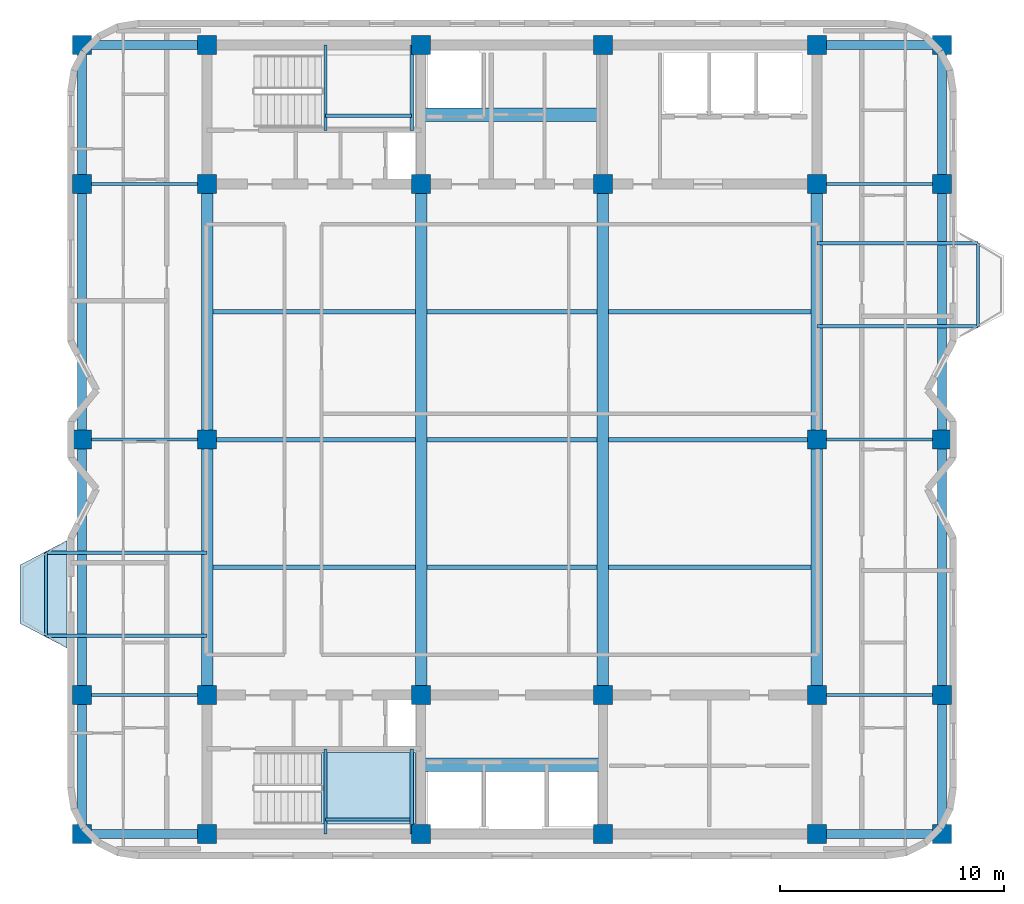
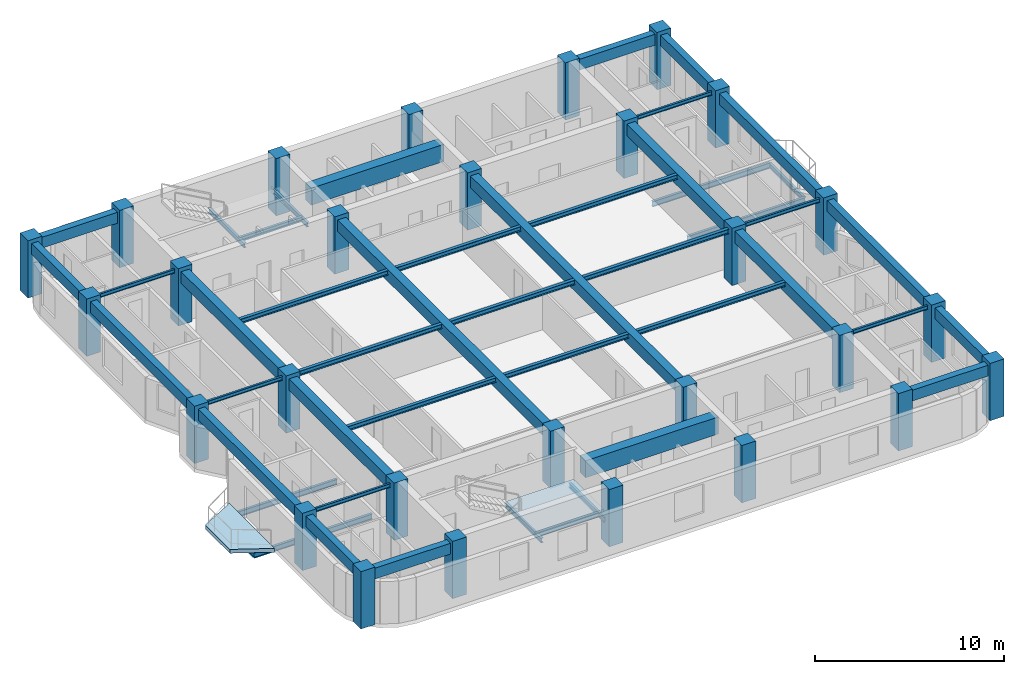
# One storey, part 1 of 9: 47 beams, 28 columns, 2 slabs, 1 element without a shape of its own.
"""IFC4 building model written with IfcOpenShell, lengths in metres."""

import ifcopenshell
import ifcopenshell.guid

model = None  # the IFC model being written
_history = None  # IfcOwnerHistory: only IFC2X3 demands one
_inside = {}  # id of a spatial element -> (the spatial element, [elements in it])
_under = {}  # id of a project, library or spatial element -> (it, [spatial elements below it])
_declared = {}  # id of a project -> (the project, [libraries it declares])
_typed = {}  # id of a type object -> (the type object, [elements of that type])
_made_of = {}  # id of a material, layer set ... -> (it, [elements and type objects made of it])


def new_model(schema):
    """Start an empty IFC model of exactly this schema.

    Asked for "IFC4X3", IfcOpenShell would pick the latest addendum, in which some entities
    have other attributes; the version numbers below select the first issue.
    IFC2X3 requires an IfcOwnerHistory on every rooted entity: one is made here for all.
    """
    global model, _history
    if schema == "IFC4X3":
        model = ifcopenshell.file(schema_version=(4, 3, 0, 0))
    else:
        model = ifcopenshell.file(schema=schema)
    _inside.clear()
    _under.clear()
    _declared.clear()
    _typed.clear()
    _made_of.clear()
    _history = None
    if model.schema == "IFC2X3":
        org = make("IfcOrganization", Name="unknown")
        user = make(
            "IfcPersonAndOrganization",
            ThePerson=make("IfcPerson", FamilyName="unknown"),
            TheOrganization=org,
        )
        app = make(
            "IfcApplication",
            ApplicationDeveloper=org,
            Version="unknown",
            ApplicationFullName="unknown",
            ApplicationIdentifier="unknown",
        )
        _history = make(
            "IfcOwnerHistory",
            OwningUser=user,
            OwningApplication=app,
            ChangeAction="ADDED",
            CreationDate=0,
        )
    return model


def make(cls, **values):
    """One entity of the class cls with the attributes given. An attribute that is None is left unset."""
    return model.create_entity(
        cls, **{name: value for name, value in values.items() if value is not None}
    )


def rooted(cls, **values):
    """An entity with a GlobalId (a new one), such as an element, a storey or a relation."""
    return make(cls, GlobalId=ifcopenshell.guid.new(), OwnerHistory=_history, **values)


def si_unit(unit_type, name, prefix=None):
    """IfcSIUnit, for example si_unit("LENGTHUNIT", "METRE", prefix="MILLI")."""
    return make("IfcSIUnit", UnitType=unit_type, Prefix=prefix, Name=name)


def assignment(units):
    """IfcUnitAssignment: the units of a project."""
    return None if units is None else make("IfcUnitAssignment", Units=units)


def point(xyz):
    """IfcCartesianPoint."""
    return None if xyz is None else make("IfcCartesianPoint", Coordinates=xyz)


def direction(xyz):
    """IfcDirection."""
    return None if xyz is None else make("IfcDirection", DirectionRatios=xyz)


def frame(location, z_axis=None, x_axis=None):
    """IfcAxis2Placement3D, a coordinate frame: its origin and axes. An axis left out is left unset."""
    return make(
        "IfcAxis2Placement3D",
        Location=point(location),
        Axis=direction(z_axis),
        RefDirection=direction(x_axis),
    )


def frame_2d(location, x_axis=None):
    """IfcAxis2Placement2D, a coordinate frame in the plane: its origin and x axis."""
    return make(
        "IfcAxis2Placement2D", Location=point(location), RefDirection=direction(x_axis)
    )


def origin():
    """The frame at (0, 0, 0) with its axes left unset."""
    return frame((0.0, 0.0, 0.0))


def origin_2d():
    """The frame at (0, 0) in the plane with its x axis left unset."""
    return frame_2d((0.0, 0.0))


def place(relative_to, where):
    """IfcLocalPlacement: puts the frame where relative to a parent placement (None: the world)."""
    return make(
        "IfcLocalPlacement", PlacementRelTo=relative_to, RelativePlacement=where
    )


def context(
    kind, dimensions, precision=None, world=None, true_north=None, identifier=None
):
    """IfcGeometricRepresentationContext, for example the 3D "Model" context."""
    return make(
        "IfcGeometricRepresentationContext",
        ContextIdentifier=identifier,
        ContextType=kind,
        CoordinateSpaceDimension=dimensions,
        Precision=precision,
        WorldCoordinateSystem=world,
        TrueNorth=true_north,
    )


def subcontext(parent, identifier, kind, view, scale=None):
    """IfcGeometricRepresentationSubContext, for example "Body" below "Model"."""
    return make(
        "IfcGeometricRepresentationSubContext",
        ContextIdentifier=identifier,
        ContextType=kind,
        ParentContext=parent,
        TargetScale=scale,
        TargetView=view,
    )


def project(units=None, contexts=None):
    """IfcProject with its units and contexts."""
    return rooted(
        "IfcProject",
        Name="project",
        RepresentationContexts=contexts,
        UnitsInContext=assignment(units),
    )


def spatial(cls, under=None, at=None, **own):
    """A site, building, storey or space (cls), placed at a placement, below another one or the project."""
    s = rooted(cls, ObjectPlacement=at, **own)
    if under is not None:
        _under.setdefault(under.id(), (under, []))[1].append(s)
    return s


def polyline(points):
    """IfcPolyline through the points."""
    return make("IfcPolyline", Points=[point(p) for p in points])


def profile(cls, at=None, kind="AREA", **sizes):
    """A parametric profile (cls). Its sizes go by their IFC names, for example OverallWidth=200.0."""
    return make(cls, ProfileType=kind, Position=at, **sizes)


def rectangle(**sizes):
    """IfcRectangleProfileDef."""
    return profile("IfcRectangleProfileDef", **sizes)


def i_section(**sizes):
    """IfcIShapeProfileDef."""
    return profile("IfcIShapeProfileDef", **sizes)


def outline(outer, holes=None, kind="AREA"):
    """IfcArbitraryClosedProfileDef: a profile drawn as a closed curve; with holes, ...WithVoids."""
    if holes is None:
        return make("IfcArbitraryClosedProfileDef", ProfileType=kind, OuterCurve=outer)
    return make(
        "IfcArbitraryProfileDefWithVoids",
        ProfileType=kind,
        OuterCurve=outer,
        InnerCurves=holes,
    )


def extrude(swept, where, along, depth):
    """IfcExtrudedAreaSolid: the profile swept, set in the frame where, extruded along a direction by depth."""
    return make(
        "IfcExtrudedAreaSolid",
        SweptArea=swept,
        Position=where,
        ExtrudedDirection=direction(along),
        Depth=depth,
    )


def shape(context_of_items, identifier, shape_type, items):
    """IfcShapeRepresentation: the items that make up one representation, for example the "Body"."""
    return make(
        "IfcShapeRepresentation",
        ContextOfItems=context_of_items,
        RepresentationIdentifier=identifier,
        RepresentationType=shape_type,
        Items=items,
    )


def material(Name=None, Category=None):
    """IfcMaterial."""
    return make("IfcMaterial", Name=Name, Category=Category)


def layer(
    of_material, thickness, ventilated=None, Name=None, Category=None, Priority=None
):
    """IfcMaterialLayer: one layer of a wall or slab, of a material (None: an air gap)."""
    return make(
        "IfcMaterialLayer",
        Material=of_material,
        LayerThickness=thickness,
        IsVentilated=ventilated,
        Name=Name,
        Category=Category,
        Priority=Priority,
    )


def layer_set(layers, Name=None):
    """IfcMaterialLayerSet."""
    return make("IfcMaterialLayerSet", MaterialLayers=layers, LayerSetName=Name)


def material_profile(
    of_material, cross_section, Name=None, Category=None, Priority=None
):
    """IfcMaterialProfile: a cross section and its material."""
    return make(
        "IfcMaterialProfile",
        Name=Name,
        Material=of_material,
        Profile=cross_section,
        Priority=Priority,
        Category=Category,
    )


def profile_set(profiles, Name=None, composite=None):
    """IfcMaterialProfileSet."""
    return make(
        "IfcMaterialProfileSet",
        Name=Name,
        MaterialProfiles=profiles,
        CompositeProfile=composite,
    )


def made_of(thing, what):
    """Note that an element or type object is made of a material, layer set ...; save() writes the relation."""
    if what is not None:
        _made_of.setdefault(what.id(), (what, []))[1].append(thing)
    return thing


def type_object(cls, material=None, **own):
    """A type object (cls), such as IfcWallType, which elements share."""
    return made_of(rooted(cls, **own), material)


def element(
    cls,
    number,
    at=None,
    inside=None,
    cuts=None,
    type_object=None,
    material=None,
    context=None,
    identifier="Body",
    shape_type=None,
    held_by="IfcProductDefinitionShape",
    body=None,
    shapes=None,
    **own,
):
    """One element of the class cls, such as IfcWall. Its Tag is "e" and its number.

    at: its placement. inside: the storey or other place that contains it. cuts: it is an
    opening in that element (IfcRelVoidsElement). A single representation is given by context,
    identifier, shape_type and body (its items); several are given by shapes. held_by: the class
    of the entity that holds the representations. save() writes the other relations.
    """
    e = rooted(cls, Tag="e%d" % number, ObjectPlacement=at, **own)
    if body is not None:
        shapes = [shape(context, identifier, shape_type, body)]
    if shapes is not None:
        e.Representation = make(held_by, Representations=shapes)
    if inside is not None:
        _inside.setdefault(inside.id(), (inside, []))[1].append(e)
    if cuts is not None:
        rooted(
            "IfcRelVoidsElement", RelatingBuildingElement=cuts, RelatedOpeningElement=e
        )
    if type_object is not None:
        _typed.setdefault(type_object.id(), (type_object, []))[1].append(e)
    return made_of(e, material)


def aggregate(whole, parts):
    """IfcRelAggregates: a whole, such as a stair, and the parts it consists of."""
    return rooted("IfcRelAggregates", RelatingObject=whole, RelatedObjects=parts)


def save(model, path):
    """Write the relations noted so far, then the file.

    IfcRelAggregates (storeys below a building ...), IfcRelContainedInSpatialStructure (elements
    in a storey), IfcRelDefinesByType, IfcRelAssociatesMaterial and IfcRelDeclares: one each for
    every whole, place, type object, material and project.
    """
    for whole, parts in _under.values():
        aggregate(whole, parts)
    for where, things in _inside.values():
        rooted(
            "IfcRelContainedInSpatialStructure",
            RelatedElements=things,
            RelatingStructure=where,
        )
    for kind, things in _typed.values():
        rooted("IfcRelDefinesByType", RelatedObjects=things, RelatingType=kind)
    for what, things in _made_of.values():
        rooted("IfcRelAssociatesMaterial", RelatedObjects=things, RelatingMaterial=what)
    for by, libraries in _declared.values():
        rooted("IfcRelDeclares", RelatingContext=by, RelatedDefinitions=libraries)
    model.write(path)


model = new_model("IFC4")

# Units and contexts
model_context = context("Model", 3, precision=1e-05, world=origin(), true_north=direction((0.0, 1.0)))
body_context = subcontext(model_context, "Body", "Model", "MODEL_VIEW")
ifc_project = project(units=[si_unit("LENGTHUNIT", "METRE"), si_unit("AREAUNIT", "SQUARE_METRE"), si_unit("VOLUMEUNIT", "CUBIC_METRE"), si_unit("PLANEANGLEUNIT", "RADIAN"), si_unit("MASSUNIT", "GRAM", prefix="KILO")], contexts=[model_context])

# Site, building, storey
site_placement = place(None, origin())
site = spatial("IfcSite", under=ifc_project, at=site_placement, CompositionType="ELEMENT")
building_placement = place(site_placement, origin())
building = spatial("IfcBuilding", under=site, at=building_placement, Name="Svetorya Sky Lyceum", CompositionType="ELEMENT")
storey_placement = place(building_placement, frame((0.0, 0.0, 240.60009765625)))
storey = spatial("IfcBuildingStorey", under=building, at=storey_placement, Name="L60", CompositionType="ELEMENT", Elevation=240.60009765625)

# Columns
ifc_material_1 = material(Name="Concrete C50/60", Category="concrete")
ifc_material_profile_1 = material_profile(ifc_material_1, rectangle(XDim=0.85009765625, YDim=0.85009765625, at=origin_2d()), Name="RC COL 850x850")
ifc_profile_set_1 = profile_set([ifc_material_profile_1], Name="Concrete C50/60")
column_type = type_object("IfcColumnType", Name="COL-RC-850", PredefinedType="COLUMN", material=ifc_profile_set_1)
for number, where, z_axis, x_axis, name in (
    (1, (25.60009765625, 10.60009765625, 0.0), (0.0, 0.0, 1.0), (1.0, 0.0, 0.0), "L60 Core Column CS-11"),
    (2, (25.60009765625, 16.800048828125, 0.0), (0.0, 0.0, 1.0), (1.0, 0.0, 0.0), "L60 Core Column CS-12"),
    (3, (35.14990234375, 10.60009765625, 0.0), (0.0, 0.0, 1.0), (1.0, 0.0, 0.0), "L60 Core Column CS-21"),
    (4, (35.14990234375, 16.800048828125, 0.0), (0.0, 0.0, 1.0), (1.0, 0.0, 0.0), "L60 Core Column CS-22"),
    (5, (43.25, 10.60009765625, 0.0), (0.0, 0.0, 1.0), (1.0, 0.0, 0.0), "L60 Core Column CS-31"),
    (6, (43.25, 16.800048828125, 0.0), (0.0, 0.0, 1.0), (1.0, 0.0, 0.0), "L60 Core Column CS-32"),
    (7, (52.800048828125, 10.60009765625, 0.0), (0.0, 0.0, 1.0), (1.0, 0.0, 0.0), "L60 Core Column CS-41"),
    (8, (52.800048828125, 16.800048828125, 0.0), (0.0, 0.0, 1.0), (1.0, 0.0, 0.0), "L60 Core Column CS-42"),
    (9, (25.60009765625, 39.60009765625, 0.0), (0.0, 0.0, 1.0), (1.0, 0.0, 0.0), "L60 Core Column CN-11"),
    (10, (25.60009765625, 45.800048828125, 0.0), (0.0, 0.0, 1.0), (1.0, 0.0, 0.0), "L60 Core Column CN-12"),
    (11, (35.14990234375, 39.60009765625, 0.0), (0.0, 0.0, 1.0), (1.0, 0.0, 0.0), "L60 Core Column CN-21"),
    (12, (35.14990234375, 45.800048828125, 0.0), (0.0, 0.0, 1.0), (1.0, 0.0, 0.0), "L60 Core Column CN-22"),
    (13, (43.25, 39.60009765625, 0.0), (0.0, 0.0, 1.0), (1.0, 0.0, 0.0), "L60 Core Column CN-31"),
    (14, (43.25, 45.800048828125, 0.0), (0.0, 0.0, 1.0), (1.0, 0.0, 0.0), "L60 Core Column CN-32"),
    (15, (52.800048828125, 39.60009765625, 0.0), (0.0, 0.0, 1.0), (1.0, 0.0, 0.0), "L60 Core Column CN-41"),
    (16, (52.800048828125, 45.800048828125, 0.0), (0.0, 0.0, 1.0), (1.0, 0.0, 0.0), "L60 Core Column CN-42"),
    (17, (25.60009765625, 28.199951171875, 0.0), (0.0, 0.0, 1.0), (1.0, 0.0, 0.0), "L60 Core Column CM-W"),
    (18, (52.800048828125, 28.199951171875, 0.0), (0.0, 0.0, 1.0), (1.0, 0.0, 0.0), "L60 Core Column CM-E"),
    (19, (20.010009765625, 10.60009765625, 0.0), (0.0, 0.0, 1.0), (1.0, 0.0, 0.0), "L60 Perimeter Column W1"),
    (20, (58.389892578125, 10.60009765625, 0.0), (0.0, 0.0, 1.0), (1.0, 0.0, 0.0), "L60 Perimeter Column E1"),
    (21, (20.010009765625, 16.800048828125, 0.0), (0.0, 0.0, 1.0), (1.0, 0.0, 0.0), "L60 Perimeter Column W2"),
    (22, (58.389892578125, 16.800048828125, 0.0), (0.0, 0.0, 1.0), (1.0, 0.0, 0.0), "L60 Perimeter Column E2"),
    (23, (20.010009765625, 28.199951171875, 0.0), (0.0, 0.0, 1.0), (1.0, 0.0, 0.0), "L60 Perimeter Column W3"),
    (24, (58.389892578125, 28.199951171875, 0.0), (0.0, 0.0, 1.0), (1.0, 0.0, 0.0), "L60 Perimeter Column E3"),
    (25, (20.010009765625, 39.60009765625, 0.0), (0.0, 0.0, 1.0), (1.0, 0.0, 0.0), "L60 Perimeter Column W4"),
    (26, (58.389892578125, 39.60009765625, 0.0), (0.0, 0.0, 1.0), (1.0, 0.0, 0.0), "L60 Perimeter Column E4"),
    (27, (20.010009765625, 45.800048828125, 0.0), (0.0, 0.0, 1.0), (1.0, 0.0, 0.0), "L60 Perimeter Column W5"),
    (28, (58.389892578125, 45.800048828125, 0.0), (0.0, 0.0, 1.0), (1.0, 0.0, 0.0), "L60 Perimeter Column E5"),
):
    element("IfcColumn", number, at=place(storey_placement, frame(where, z_axis=z_axis, x_axis=x_axis)), inside=storey, type_object=column_type, Name=name, PredefinedType="COLUMN", context=body_context, shape_type="SweptSolid", body=[
        extrude(rectangle(XDim=0.85009765625, YDim=0.85009765625, at=origin_2d()), origin(), (0.0, 0.0, 1.0), 3.699951171875),
    ])

# Beams
ifc_material_2 = material(Name="Concrete C60/75", Category="concrete")
ifc_material_profile_2 = material_profile(ifc_material_2, rectangle(XDim=0.60009765625, YDim=1.10009765625, at=origin_2d()), Name="RC COUPLING 600x1100")
ifc_profile_set_2 = profile_set([ifc_material_profile_2], Name="Concrete C60/75")
beam_type_1 = type_object("IfcBeamType", Name="BM-CPL-1100", PredefinedType="LINTEL", material=ifc_profile_set_2)
for number, where, z_axis, x_axis, name in (
    (29, (35.14990234375, 13.699951171875, 2.89990234375), (1.0, 0.0, 0.0), (0.0, 1.0, 0.0), "L60 SC Core Coupling Beam"),
    (30, (35.14990234375, 42.699951171875, 2.89990234375), (1.0, 0.0, 0.0), (0.0, 1.0, 0.0), "L60 NC Core Coupling Beam"),
):
    element("IfcBeam", number, at=place(storey_placement, frame(where, z_axis=z_axis, x_axis=x_axis)), inside=storey, type_object=beam_type_1, Name=name, PredefinedType="LINTEL", context=body_context, shape_type="SweptSolid", body=[
        extrude(rectangle(XDim=0.60009765625, YDim=1.10009765625, at=origin_2d()), origin(), (0.0, 0.0, 1.0), 8.10009765625),
    ])
ifc_material_profile_3 = material_profile(ifc_material_1, rectangle(XDim=0.5, YDim=0.75, at=origin_2d()), Name="RC BEAM 500x750")
ifc_profile_set_3 = profile_set([ifc_material_profile_3], Name="Concrete C50/60")
beam_type_2 = type_object("IfcBeamType", Name="BM-RC-750", PredefinedType="BEAM", material=ifc_profile_set_3)
beam_1_placement = place(storey_placement, frame((25.60009765625, 16.800048828125, 3.074951171875), z_axis=(0.0, 1.0, 0.0), x_axis=(-1.0, 0.0, 0.0)))
element("IfcBeam", 31, at=beam_1_placement, inside=storey, type_object=beam_type_2, Name="L60 Central Bay Primary Girder CG-1A", PredefinedType="BEAM", context=body_context, shape_type="SweptSolid", body=[
    extrude(rectangle(XDim=0.5, YDim=0.75, at=origin_2d()), origin(), (0.0, 0.0, 1.0), 11.39990234375),
])
beam_2_placement = place(storey_placement, frame((25.60009765625, 28.199951171875, 3.074951171875), z_axis=(0.0, 1.0, 0.0), x_axis=(-1.0, 0.0, 0.0)))
element("IfcBeam", 32, at=beam_2_placement, inside=storey, type_object=beam_type_2, Name="L60 Central Bay Primary Girder CG-1B", PredefinedType="BEAM", context=body_context, shape_type="SweptSolid", body=[
    extrude(rectangle(XDim=0.5, YDim=0.75, at=origin_2d()), origin(), (0.0, 0.0, 1.0), 11.400146484375),
])
for number, where, z_axis, x_axis, name in (
    (33, (35.14990234375, 16.800048828125, 3.074951171875), (0.0, 1.0, 0.0), (-1.0, 0.0, 0.0), "L60 Central Bay Primary Girder CG-2"),
    (34, (43.25, 16.800048828125, 3.074951171875), (0.0, 1.0, 0.0), (-1.0, 0.0, 0.0), "L60 Central Bay Primary Girder CG-3"),
):
    element("IfcBeam", number, at=place(storey_placement, frame(where, z_axis=z_axis, x_axis=x_axis)), inside=storey, type_object=beam_type_2, Name=name, PredefinedType="BEAM", context=body_context, shape_type="SweptSolid", body=[
        extrude(rectangle(XDim=0.5, YDim=0.75, at=origin_2d()), origin(), (0.0, 0.0, 1.0), 22.800048828125),
    ])
beam_3_placement = place(storey_placement, frame((52.800048828125, 16.800048828125, 3.074951171875), z_axis=(0.0, 1.0, 0.0), x_axis=(-1.0, 0.0, 0.0)))
element("IfcBeam", 35, at=beam_3_placement, inside=storey, type_object=beam_type_2, Name="L60 Central Bay Primary Girder CG-4A", PredefinedType="BEAM", context=body_context, shape_type="SweptSolid", body=[
    extrude(rectangle(XDim=0.5, YDim=0.75, at=origin_2d()), origin(), (0.0, 0.0, 1.0), 11.39990234375),
])
beam_4_placement = place(storey_placement, frame((52.800048828125, 28.199951171875, 3.074951171875), z_axis=(0.0, 1.0, 0.0), x_axis=(-1.0, 0.0, 0.0)))
element("IfcBeam", 36, at=beam_4_placement, inside=storey, type_object=beam_type_2, Name="L60 Central Bay Primary Girder CG-4B", PredefinedType="BEAM", context=body_context, shape_type="SweptSolid", body=[
    extrude(rectangle(XDim=0.5, YDim=0.75, at=origin_2d()), origin(), (0.0, 0.0, 1.0), 11.400146484375),
])
ifc_material_profile_4 = material_profile(ifc_material_1, rectangle(XDim=0.39990234375, YDim=0.699951171875, at=origin_2d()), Name="RC SPANDREL 400x700")
ifc_profile_set_4 = profile_set([ifc_material_profile_4], Name="Concrete C50/60")
beam_type_3 = type_object("IfcBeamType", Name="BM-SPN-700", PredefinedType="SPANDREL", material=ifc_profile_set_4)
for number, where, z_axis, x_axis, name in (
    (37, (20.010009765625, 10.60009765625, 3.099853515625), (1.0, 0.0, 0.0), (0.0, 1.0, 0.0), "L60 Tie Spandrel SW"),
    (38, (20.010009765625, 45.800048828125, 3.099853515625), (1.0, 0.0, 0.0), (0.0, 1.0, 0.0), "L60 Tie Spandrel NW"),
):
    element("IfcBeam", number, at=place(storey_placement, frame(where, z_axis=z_axis, x_axis=x_axis)), inside=storey, type_object=beam_type_3, Name=name, PredefinedType="SPANDREL", context=body_context, shape_type="SweptSolid", body=[
        extrude(rectangle(XDim=0.39990234375, YDim=0.699951171875, at=origin_2d()), origin(), (0.0, 0.0, 1.0), 5.590087890625),
    ])
for number, where, z_axis, x_axis, name in (
    (39, (52.800048828125, 10.60009765625, 3.099853515625), (1.0, 0.0, 0.0), (0.0, 1.0, 0.0), "L60 Tie Spandrel SE"),
    (40, (52.800048828125, 45.800048828125, 3.099853515625), (1.0, 0.0, 0.0), (0.0, 1.0, 0.0), "L60 Tie Spandrel NE"),
):
    element("IfcBeam", number, at=place(storey_placement, frame(where, z_axis=z_axis, x_axis=x_axis)), inside=storey, type_object=beam_type_3, Name=name, PredefinedType="SPANDREL", context=body_context, shape_type="SweptSolid", body=[
        extrude(rectangle(XDim=0.39990234375, YDim=0.699951171875, at=origin_2d()), origin(), (0.0, 0.0, 1.0), 5.58984375),
    ])
beam_5_placement = place(storey_placement, frame((20.010009765625, 10.60009765625, 3.099853515625), z_axis=(0.0, 1.0, 0.0), x_axis=(-1.0, 0.0, 0.0)))
element("IfcBeam", 41, at=beam_5_placement, inside=storey, type_object=beam_type_3, Name="L60 West Spandrel 1", PredefinedType="SPANDREL", context=body_context, shape_type="SweptSolid", body=[
    extrude(rectangle(XDim=0.39990234375, YDim=0.699951171875, at=origin_2d()), origin(), (0.0, 0.0, 1.0), 6.199951171875),
])
beam_6_placement = place(storey_placement, frame((20.010009765625, 16.800048828125, 3.099853515625), z_axis=(0.0, 1.0, 0.0), x_axis=(-1.0, 0.0, 0.0)))
element("IfcBeam", 42, at=beam_6_placement, inside=storey, type_object=beam_type_3, Name="L60 West Spandrel 2", PredefinedType="SPANDREL", context=body_context, shape_type="SweptSolid", body=[
    extrude(rectangle(XDim=0.39990234375, YDim=0.699951171875, at=origin_2d()), origin(), (0.0, 0.0, 1.0), 11.39990234375),
])
beam_7_placement = place(storey_placement, frame((20.010009765625, 28.199951171875, 3.099853515625), z_axis=(0.0, 1.0, 0.0), x_axis=(-1.0, 0.0, 0.0)))
element("IfcBeam", 43, at=beam_7_placement, inside=storey, type_object=beam_type_3, Name="L60 West Spandrel 3", PredefinedType="SPANDREL", context=body_context, shape_type="SweptSolid", body=[
    extrude(rectangle(XDim=0.39990234375, YDim=0.699951171875, at=origin_2d()), origin(), (0.0, 0.0, 1.0), 11.400146484375),
])
for number, where, z_axis, x_axis, name in (
    (44, (20.010009765625, 39.60009765625, 3.099853515625), (0.0, 1.0, 0.0), (-1.0, 0.0, 0.0), "L60 West Spandrel 4"),
    (45, (58.389892578125, 10.60009765625, 3.099853515625), (0.0, 1.0, 0.0), (-1.0, 0.0, 0.0), "L60 East Spandrel 1"),
):
    element("IfcBeam", number, at=place(storey_placement, frame(where, z_axis=z_axis, x_axis=x_axis)), inside=storey, type_object=beam_type_3, Name=name, PredefinedType="SPANDREL", context=body_context, shape_type="SweptSolid", body=[
        extrude(rectangle(XDim=0.39990234375, YDim=0.699951171875, at=origin_2d()), origin(), (0.0, 0.0, 1.0), 6.199951171875),
    ])
beam_8_placement = place(storey_placement, frame((58.389892578125, 16.800048828125, 3.099853515625), z_axis=(0.0, 1.0, 0.0), x_axis=(-1.0, 0.0, 0.0)))
element("IfcBeam", 46, at=beam_8_placement, inside=storey, type_object=beam_type_3, Name="L60 East Spandrel 2", PredefinedType="SPANDREL", context=body_context, shape_type="SweptSolid", body=[
    extrude(rectangle(XDim=0.39990234375, YDim=0.699951171875, at=origin_2d()), origin(), (0.0, 0.0, 1.0), 11.39990234375),
])
beam_9_placement = place(storey_placement, frame((58.389892578125, 28.199951171875, 3.099853515625), z_axis=(0.0, 1.0, 0.0), x_axis=(-1.0, 0.0, 0.0)))
element("IfcBeam", 47, at=beam_9_placement, inside=storey, type_object=beam_type_3, Name="L60 East Spandrel 3", PredefinedType="SPANDREL", context=body_context, shape_type="SweptSolid", body=[
    extrude(rectangle(XDim=0.39990234375, YDim=0.699951171875, at=origin_2d()), origin(), (0.0, 0.0, 1.0), 11.400146484375),
])
beam_10_placement = place(storey_placement, frame((58.389892578125, 39.60009765625, 3.099853515625), z_axis=(0.0, 1.0, 0.0), x_axis=(-1.0, 0.0, 0.0)))
element("IfcBeam", 48, at=beam_10_placement, inside=storey, type_object=beam_type_3, Name="L60 East Spandrel 4", PredefinedType="SPANDREL", context=body_context, shape_type="SweptSolid", body=[
    extrude(rectangle(XDim=0.39990234375, YDim=0.699951171875, at=origin_2d()), origin(), (0.0, 0.0, 1.0), 6.199951171875),
])
ifc_material_3 = material(Name="Steel S355", Category="steel")
ifc_material_profile_5 = material_profile(ifc_material_3, i_section(OverallWidth=0.1240234375, OverallDepth=0.248046875, WebThickness=0.006103515625, FlangeThickness=0.009521484375, at=origin_2d()), Name="GOST 25B2")
ifc_profile_set_5 = profile_set([ifc_material_profile_5], Name="Steel S355")
beam_type_4 = type_object("IfcBeamType", Name="BM-STL-25B2", PredefinedType="JOIST", material=ifc_profile_set_5)
beam_11_placement = place(storey_placement, frame((20.010009765625, 16.800048828125, 3.325927734375), z_axis=(1.0, 0.0, 0.0), x_axis=(0.0, 1.0, 0.0)))
element("IfcBeam", 49, at=beam_11_placement, inside=storey, type_object=beam_type_4, Name="L60 West Wing Floor Joist W2", PredefinedType="JOIST", context=body_context, shape_type="SweptSolid", body=[
    extrude(i_section(OverallWidth=0.1240234375, OverallDepth=0.248046875, WebThickness=0.006103515625, FlangeThickness=0.009521484375, at=origin_2d()), origin(), (0.0, 0.0, 1.0), 5.590087890625),
])
beam_12_placement = place(storey_placement, frame((52.800048828125, 16.800048828125, 3.325927734375), z_axis=(1.0, 0.0, 0.0), x_axis=(0.0, 1.0, 0.0)))
element("IfcBeam", 50, at=beam_12_placement, inside=storey, type_object=beam_type_4, Name="L60 East Wing Floor Joist E2", PredefinedType="JOIST", context=body_context, shape_type="SweptSolid", body=[
    extrude(i_section(OverallWidth=0.1240234375, OverallDepth=0.248046875, WebThickness=0.006103515625, FlangeThickness=0.009521484375, at=origin_2d()), origin(), (0.0, 0.0, 1.0), 5.58984375),
])
beam_13_placement = place(storey_placement, frame((20.010009765625, 28.199951171875, 3.325927734375), z_axis=(1.0, 0.0, 0.0), x_axis=(0.0, 1.0, 0.0)))
element("IfcBeam", 51, at=beam_13_placement, inside=storey, type_object=beam_type_4, Name="L60 West Wing Floor Joist W3", PredefinedType="JOIST", context=body_context, shape_type="SweptSolid", body=[
    extrude(i_section(OverallWidth=0.1240234375, OverallDepth=0.248046875, WebThickness=0.006103515625, FlangeThickness=0.009521484375, at=origin_2d()), origin(), (0.0, 0.0, 1.0), 5.590087890625),
])
beam_14_placement = place(storey_placement, frame((52.800048828125, 28.199951171875, 3.325927734375), z_axis=(1.0, 0.0, 0.0), x_axis=(0.0, 1.0, 0.0)))
element("IfcBeam", 52, at=beam_14_placement, inside=storey, type_object=beam_type_4, Name="L60 East Wing Floor Joist E3", PredefinedType="JOIST", context=body_context, shape_type="SweptSolid", body=[
    extrude(i_section(OverallWidth=0.1240234375, OverallDepth=0.248046875, WebThickness=0.006103515625, FlangeThickness=0.009521484375, at=origin_2d()), origin(), (0.0, 0.0, 1.0), 5.58984375),
])
beam_15_placement = place(storey_placement, frame((20.010009765625, 39.60009765625, 3.325927734375), z_axis=(1.0, 0.0, 0.0), x_axis=(0.0, 1.0, 0.0)))
element("IfcBeam", 53, at=beam_15_placement, inside=storey, type_object=beam_type_4, Name="L60 West Wing Floor Joist W4", PredefinedType="JOIST", context=body_context, shape_type="SweptSolid", body=[
    extrude(i_section(OverallWidth=0.1240234375, OverallDepth=0.248046875, WebThickness=0.006103515625, FlangeThickness=0.009521484375, at=origin_2d()), origin(), (0.0, 0.0, 1.0), 5.590087890625),
])
beam_16_placement = place(storey_placement, frame((52.800048828125, 39.60009765625, 3.325927734375), z_axis=(1.0, 0.0, 0.0), x_axis=(0.0, 1.0, 0.0)))
element("IfcBeam", 54, at=beam_16_placement, inside=storey, type_object=beam_type_4, Name="L60 East Wing Floor Joist E4", PredefinedType="JOIST", context=body_context, shape_type="SweptSolid", body=[
    extrude(i_section(OverallWidth=0.1240234375, OverallDepth=0.248046875, WebThickness=0.006103515625, FlangeThickness=0.009521484375, at=origin_2d()), origin(), (0.0, 0.0, 1.0), 5.58984375),
])
ifc_material_profile_6 = material_profile(ifc_material_3, i_section(OverallWidth=0.14990234375, OverallDepth=0.299072265625, WebThickness=0.006591796875, FlangeThickness=0.010498046875, at=origin_2d()), Name="GOST 30B2")
ifc_profile_set_6 = profile_set([ifc_material_profile_6], Name="Steel S355")
beam_type_5 = type_object("IfcBeamType", Name="BM-STL-30B2", PredefinedType="JOIST", material=ifc_profile_set_6)
for number, where, z_axis, x_axis, name in (
    (55, (18.409912109375, 19.449951171875, -0.424560546875), (0.0, 1.0, 0.0), (-1.0, 0.0, 0.0), "L60 Balcony Edge Tie BAL-W1"),
    (56, (59.989990234375, 33.25, -0.424560546875), (0.0, 1.0, 0.0), (-1.0, 0.0, 0.0), "L60 Balcony Edge Tie BAL-E1"),
):
    element("IfcBeam", number, at=place(storey_placement, frame(where, z_axis=z_axis, x_axis=x_axis)), inside=storey, type_object=beam_type_5, Name=name, PredefinedType="JOIST", context=body_context, shape_type="SweptSolid", body=[
        extrude(i_section(OverallWidth=0.14990234375, OverallDepth=0.299072265625, WebThickness=0.006591796875, FlangeThickness=0.010498046875, at=origin_2d()), origin(), (0.0, 0.0, 1.0), 3.699951171875),
    ])
for number, where, z_axis, x_axis, name in (
    (57, (30.8798828125, 10.60009765625, 1.50048828125), (0.0, 1.0, 0.0), (-1.0, 0.0, 0.0), "L60 Stair ST-S Half-Landing Support Beam 68.1"),
    (58, (34.719970703125, 10.60009765625, 1.50048828125), (0.0, 1.0, 0.0), (-1.0, 0.0, 0.0), "L60 Stair ST-S Half-Landing Support Beam 68.2"),
):
    element("IfcBeam", number, at=place(storey_placement, frame(where, z_axis=z_axis, x_axis=x_axis)), inside=storey, type_object=beam_type_5, Name=name, PredefinedType="JOIST", context=body_context, shape_type="SweptSolid", body=[
        extrude(i_section(OverallWidth=0.14990234375, OverallDepth=0.299072265625, WebThickness=0.006591796875, FlangeThickness=0.010498046875, at=origin_2d()), origin(), (0.0, 0.0, 1.0), 3.7998046875),
    ])
beam_17_placement = place(storey_placement, frame((30.8798828125, 11.25, 1.50048828125), z_axis=(1.0, 0.0, 0.0), x_axis=(0.0, 1.0, 0.0)))
element("IfcBeam", 59, at=beam_17_placement, inside=storey, type_object=beam_type_5, Name="L60 Stair ST-S Half-Landing Cross Tie 68", PredefinedType="JOIST", context=body_context, shape_type="SweptSolid", body=[
    extrude(i_section(OverallWidth=0.14990234375, OverallDepth=0.299072265625, WebThickness=0.006591796875, FlangeThickness=0.010498046875, at=origin_2d()), origin(), (0.0, 0.0, 1.0), 3.840087890625),
])
for number, where, z_axis, x_axis, name in (
    (60, (30.8798828125, 42.0, 1.50048828125), (0.0, 1.0, 0.0), (-1.0, 0.0, 0.0), "L60 Stair ST-N Half-Landing Support Beam 68.1"),
    (61, (34.719970703125, 42.0, 1.50048828125), (0.0, 1.0, 0.0), (-1.0, 0.0, 0.0), "L60 Stair ST-N Half-Landing Support Beam 68.2"),
):
    element("IfcBeam", number, at=place(storey_placement, frame(where, z_axis=z_axis, x_axis=x_axis)), inside=storey, type_object=beam_type_5, Name=name, PredefinedType="JOIST", context=body_context, shape_type="SweptSolid", body=[
        extrude(i_section(OverallWidth=0.14990234375, OverallDepth=0.299072265625, WebThickness=0.006591796875, FlangeThickness=0.010498046875, at=origin_2d()), origin(), (0.0, 0.0, 1.0), 3.800048828125),
    ])
beam_18_placement = place(storey_placement, frame((30.8798828125, 42.64990234375, 1.50048828125), z_axis=(1.0, 0.0, 0.0), x_axis=(0.0, 1.0, 0.0)))
element("IfcBeam", 62, at=beam_18_placement, inside=storey, type_object=beam_type_5, Name="L60 Stair ST-N Half-Landing Cross Tie 68", PredefinedType="JOIST", context=body_context, shape_type="SweptSolid", body=[
    extrude(i_section(OverallWidth=0.14990234375, OverallDepth=0.299072265625, WebThickness=0.006591796875, FlangeThickness=0.010498046875, at=origin_2d()), origin(), (0.0, 0.0, 1.0), 3.840087890625),
])
ifc_material_profile_7 = material_profile(ifc_material_3, i_section(OverallWidth=0.199951171875, OverallDepth=0.298095703125, WebThickness=0.008544921875, FlangeThickness=0.012939453125, at=origin_2d()), Name="GOST 30Sh2")
ifc_profile_set_7 = profile_set([ifc_material_profile_7], Name="Steel S355")
beam_type_6 = type_object("IfcBeamType", Name="BM-STL-30SH2", PredefinedType="BEAM", material=ifc_profile_set_7)
beam_19_placement = place(storey_placement, frame((25.85009765625, 22.5, 3.30078125), z_axis=(1.0, 0.0, 0.0), x_axis=(0.0, 1.0, 0.0)))
element("IfcBeam", 63, at=beam_19_placement, inside=storey, type_object=beam_type_6, Name="L60 Central Floor Joist CJ-1.1", PredefinedType="BEAM", context=body_context, shape_type="SweptSolid", body=[
    extrude(i_section(OverallWidth=0.199951171875, OverallDepth=0.298095703125, WebThickness=0.008544921875, FlangeThickness=0.012939453125, at=origin_2d()), origin(), (0.0, 0.0, 1.0), 9.0498046875),
])
beam_20_placement = place(storey_placement, frame((35.39990234375, 22.5, 3.30078125), z_axis=(1.0, 0.0, 0.0), x_axis=(0.0, 1.0, 0.0)))
element("IfcBeam", 64, at=beam_20_placement, inside=storey, type_object=beam_type_6, Name="L60 Central Floor Joist CJ-1.2", PredefinedType="BEAM", context=body_context, shape_type="SweptSolid", body=[
    extrude(i_section(OverallWidth=0.199951171875, OverallDepth=0.298095703125, WebThickness=0.008544921875, FlangeThickness=0.012939453125, at=origin_2d()), origin(), (0.0, 0.0, 1.0), 7.60009765625),
])
beam_21_placement = place(storey_placement, frame((43.5, 22.5, 3.30078125), z_axis=(1.0, 0.0, 0.0), x_axis=(0.0, 1.0, 0.0)))
element("IfcBeam", 65, at=beam_21_placement, inside=storey, type_object=beam_type_6, Name="L60 Central Floor Joist CJ-1.3", PredefinedType="BEAM", context=body_context, shape_type="SweptSolid", body=[
    extrude(i_section(OverallWidth=0.199951171875, OverallDepth=0.298095703125, WebThickness=0.008544921875, FlangeThickness=0.012939453125, at=origin_2d()), origin(), (0.0, 0.0, 1.0), 9.050048828125),
])
beam_22_placement = place(storey_placement, frame((25.85009765625, 28.199951171875, 3.30078125), z_axis=(1.0, 0.0, 0.0), x_axis=(0.0, 1.0, 0.0)))
element("IfcBeam", 66, at=beam_22_placement, inside=storey, type_object=beam_type_6, Name="L60 Central Floor Joist CJ-2.1", PredefinedType="BEAM", context=body_context, shape_type="SweptSolid", body=[
    extrude(i_section(OverallWidth=0.199951171875, OverallDepth=0.298095703125, WebThickness=0.008544921875, FlangeThickness=0.012939453125, at=origin_2d()), origin(), (0.0, 0.0, 1.0), 9.0498046875),
])
beam_23_placement = place(storey_placement, frame((35.39990234375, 28.199951171875, 3.30078125), z_axis=(1.0, 0.0, 0.0), x_axis=(0.0, 1.0, 0.0)))
element("IfcBeam", 67, at=beam_23_placement, inside=storey, type_object=beam_type_6, Name="L60 Central Floor Joist CJ-2.2", PredefinedType="BEAM", context=body_context, shape_type="SweptSolid", body=[
    extrude(i_section(OverallWidth=0.199951171875, OverallDepth=0.298095703125, WebThickness=0.008544921875, FlangeThickness=0.012939453125, at=origin_2d()), origin(), (0.0, 0.0, 1.0), 7.60009765625),
])
beam_24_placement = place(storey_placement, frame((43.5, 28.199951171875, 3.30078125), z_axis=(1.0, 0.0, 0.0), x_axis=(0.0, 1.0, 0.0)))
element("IfcBeam", 68, at=beam_24_placement, inside=storey, type_object=beam_type_6, Name="L60 Central Floor Joist CJ-2.3", PredefinedType="BEAM", context=body_context, shape_type="SweptSolid", body=[
    extrude(i_section(OverallWidth=0.199951171875, OverallDepth=0.298095703125, WebThickness=0.008544921875, FlangeThickness=0.012939453125, at=origin_2d()), origin(), (0.0, 0.0, 1.0), 9.050048828125),
])
beam_25_placement = place(storey_placement, frame((25.85009765625, 33.89990234375, 3.30078125), z_axis=(1.0, 0.0, 0.0), x_axis=(0.0, 1.0, 0.0)))
element("IfcBeam", 69, at=beam_25_placement, inside=storey, type_object=beam_type_6, Name="L60 Central Floor Joist CJ-3.1", PredefinedType="BEAM", context=body_context, shape_type="SweptSolid", body=[
    extrude(i_section(OverallWidth=0.199951171875, OverallDepth=0.298095703125, WebThickness=0.008544921875, FlangeThickness=0.012939453125, at=origin_2d()), origin(), (0.0, 0.0, 1.0), 9.0498046875),
])
beam_26_placement = place(storey_placement, frame((35.39990234375, 33.89990234375, 3.30078125), z_axis=(1.0, 0.0, 0.0), x_axis=(0.0, 1.0, 0.0)))
element("IfcBeam", 70, at=beam_26_placement, inside=storey, type_object=beam_type_6, Name="L60 Central Floor Joist CJ-3.2", PredefinedType="BEAM", context=body_context, shape_type="SweptSolid", body=[
    extrude(i_section(OverallWidth=0.199951171875, OverallDepth=0.298095703125, WebThickness=0.008544921875, FlangeThickness=0.012939453125, at=origin_2d()), origin(), (0.0, 0.0, 1.0), 7.60009765625),
])
beam_27_placement = place(storey_placement, frame((43.5, 33.89990234375, 3.30078125), z_axis=(1.0, 0.0, 0.0), x_axis=(0.0, 1.0, 0.0)))
element("IfcBeam", 71, at=beam_27_placement, inside=storey, type_object=beam_type_6, Name="L60 Central Floor Joist CJ-3.3", PredefinedType="BEAM", context=body_context, shape_type="SweptSolid", body=[
    extrude(i_section(OverallWidth=0.199951171875, OverallDepth=0.298095703125, WebThickness=0.008544921875, FlangeThickness=0.012939453125, at=origin_2d()), origin(), (0.0, 0.0, 1.0), 9.050048828125),
])
ifc_material_profile_8 = material_profile(ifc_material_3, i_section(OverallWidth=0.155029296875, OverallDepth=0.34912109375, WebThickness=0.007080078125, FlangeThickness=0.011474609375, at=origin_2d()), Name="GOST 35B2")
ifc_profile_set_8 = profile_set([ifc_material_profile_8], Name="Steel S355")
beam_type_7 = type_object("IfcBeamType", Name="BM-STL-35B2", PredefinedType="JOIST", material=ifc_profile_set_8)
for number, where, z_axis, x_axis, name in (
    (72, (25.60009765625, 19.449951171875, -0.424560546875), (-1.0, 0.0, 0.0), (0.0, -1.0, 0.0), "L60 Balcony Cantilever Beam BAL-W1-1"),
    (73, (25.60009765625, 23.14990234375, -0.424560546875), (-1.0, 0.0, 0.0), (0.0, -1.0, 0.0), "L60 Balcony Cantilever Beam BAL-W1-2"),
):
    element("IfcBeam", number, at=place(storey_placement, frame(where, z_axis=z_axis, x_axis=x_axis)), inside=storey, type_object=beam_type_7, Name=name, PredefinedType="JOIST", context=body_context, shape_type="SweptSolid", body=[
        extrude(i_section(OverallWidth=0.155029296875, OverallDepth=0.34912109375, WebThickness=0.007080078125, FlangeThickness=0.011474609375, at=origin_2d()), origin(), (0.0, 0.0, 1.0), 7.190185546875),
    ])
for number, where, z_axis, x_axis, name in (
    (74, (52.800048828125, 33.25, -0.424560546875), (1.0, 0.0, 0.0), (0.0, 1.0, 0.0), "L60 Balcony Cantilever Beam BAL-E1-1"),
    (75, (52.800048828125, 36.949951171875, -0.424560546875), (1.0, 0.0, 0.0), (0.0, 1.0, 0.0), "L60 Balcony Cantilever Beam BAL-E1-2"),
):
    element("IfcBeam", number, at=place(storey_placement, frame(where, z_axis=z_axis, x_axis=x_axis)), inside=storey, type_object=beam_type_7, Name=name, PredefinedType="JOIST", context=body_context, shape_type="SweptSolid", body=[
        extrude(i_section(OverallWidth=0.155029296875, OverallDepth=0.34912109375, WebThickness=0.007080078125, FlangeThickness=0.011474609375, at=origin_2d()), origin(), (0.0, 0.0, 1.0), 7.18994140625),
    ])

# Slab
ifc_material_4 = material(Name="Concrete C40/50", Category="concrete")
ifc_layer_1 = layer(ifc_material_4, 0.25)
ifc_layer_set_1 = layer_set([ifc_layer_1], Name="Concrete C40/50")
slab_type_1 = type_object("IfcSlabType", Name="SL-BAL-250", PredefinedType="FLOOR", material=ifc_layer_set_1)
slab_1_placement = place(storey_placement, frame((0.0, 0.0, -0.25)))
element("IfcSlab", 76, at=slab_1_placement, inside=storey, type_object=slab_type_1, Name="L60 Chamfered Loggia Balcony BAL-W1", PredefinedType="FLOOR", context=body_context, shape_type="SweptSolid", body=[
    extrude(outline(polyline([(19.35009765625, 18.89990234375), (19.35009765625, 23.699951171875), (17.25, 22.60009765625), (17.25, 20.0), (19.35009765625, 18.89990234375)])), origin(), (0.0, 0.0, 1.0), 0.25),
])

# Stair, slab
stair_type = type_object("IfcStairType", Name="STR-ST-S", PredefinedType="HALF_TURN_STAIR", material=ifc_material_4)
stair_placement = place(storey_placement, origin())
stair = element("IfcStair", 77, at=stair_placement, inside=storey, type_object=stair_type, Name="L60 South Core Smoke-Free Exit Stair N2", PredefinedType="HALF_TURN_STAIR")
ifc_layer_2 = layer(ifc_material_4, 0.199951171875)
ifc_layer_set_2 = layer_set([ifc_layer_2], Name="Concrete C40/50")
slab_type_2 = type_object("IfcSlabType", Name="SL-STR-LAND-200", PredefinedType="LANDING", material=ifc_layer_set_2)
slab_2_placement = place(storey_placement, frame((0.0, 0.0, 1.64990234375)))
slab_2 = element("IfcSlab", 78, at=slab_2_placement, type_object=slab_type_2, Name="ST-S landing 1", PredefinedType="LANDING", context=body_context, shape_type="SweptSolid", body=[
    extrude(outline(polyline([(30.699951171875, 11.050048828125), (34.89990234375, 11.050048828125), (34.89990234375, 14.25), (30.699951171875, 14.25), (30.699951171875, 11.050048828125)])), origin(), (0.0, 0.0, 1.0), 0.199951171875),
])
aggregate(stair, [slab_2])

save(model, "model.ifc")
